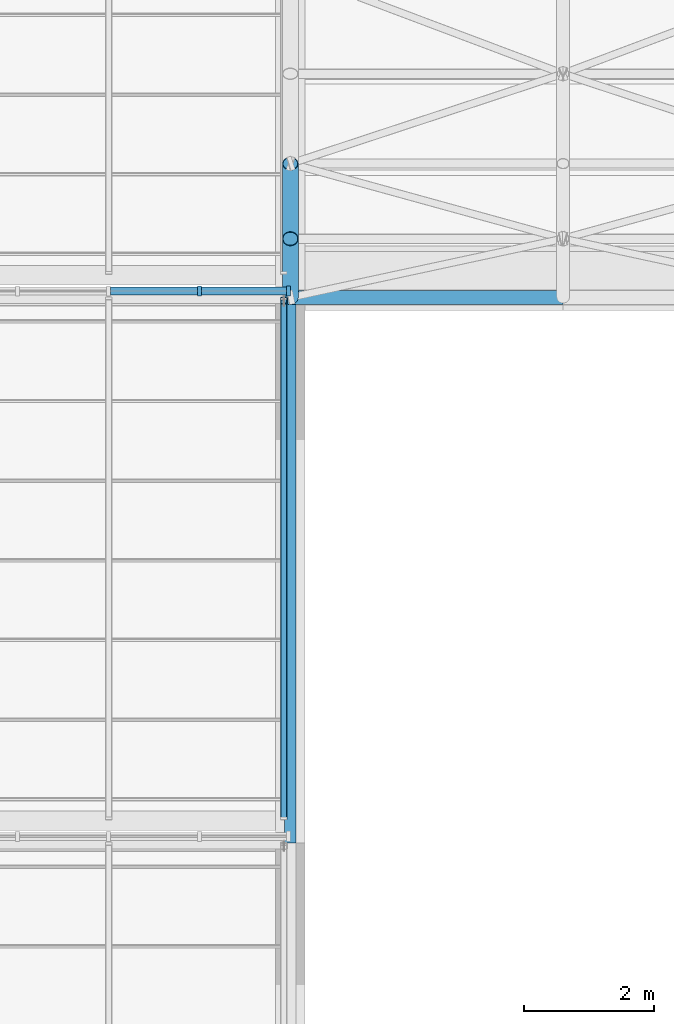
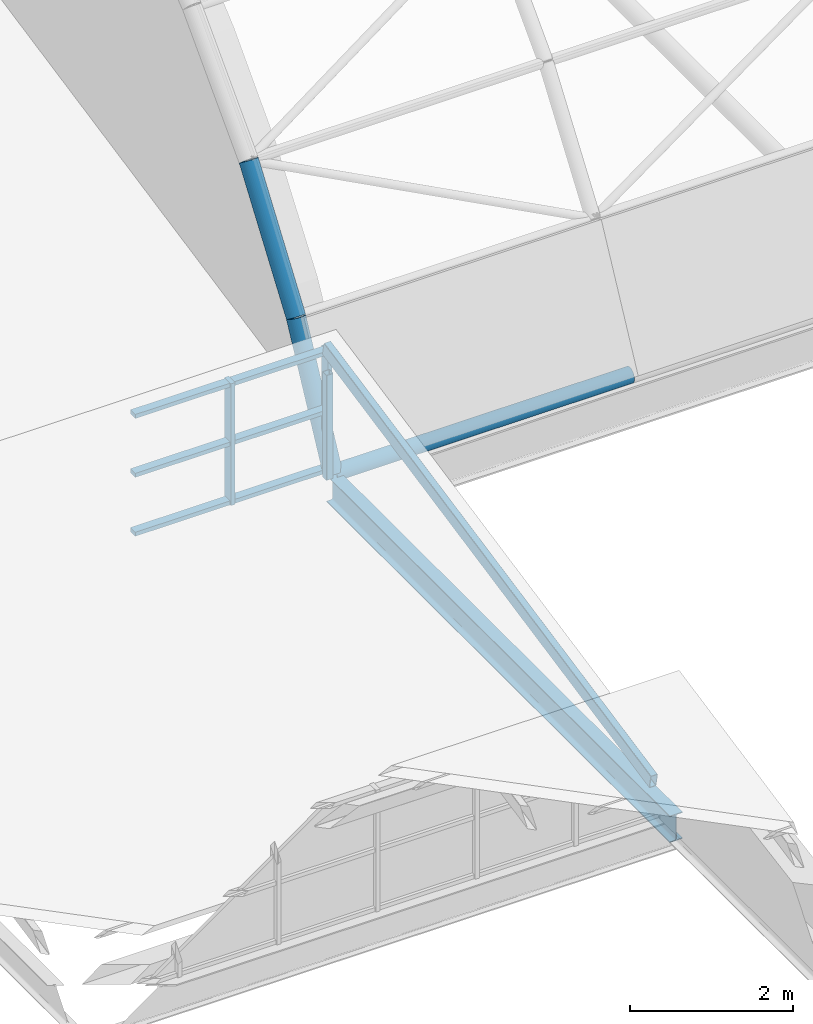
# One storey, part 26 of 121: 13 members, 1 beam, 1 element without a shape of its own.
"""IFC4 building model written with IfcOpenShell, lengths in metres."""

import ifcopenshell
import ifcopenshell.guid

model = None  # the IFC model being written
_history = None  # IfcOwnerHistory: only IFC2X3 demands one
_inside = {}  # id of a spatial element -> (the spatial element, [elements in it])
_under = {}  # id of a project, library or spatial element -> (it, [spatial elements below it])
_declared = {}  # id of a project -> (the project, [libraries it declares])
_typed = {}  # id of a type object -> (the type object, [elements of that type])
_made_of = {}  # id of a material, layer set ... -> (it, [elements and type objects made of it])


def new_model(schema):
    """Start an empty IFC model of exactly this schema.

    Asked for "IFC4X3", IfcOpenShell would pick the latest addendum, in which some entities
    have other attributes; the version numbers below select the first issue.
    IFC2X3 requires an IfcOwnerHistory on every rooted entity: one is made here for all.
    """
    global model, _history
    if schema == "IFC4X3":
        model = ifcopenshell.file(schema_version=(4, 3, 0, 0))
    else:
        model = ifcopenshell.file(schema=schema)
    _inside.clear()
    _under.clear()
    _declared.clear()
    _typed.clear()
    _made_of.clear()
    _history = None
    if model.schema == "IFC2X3":
        org = make("IfcOrganization", Name="unknown")
        user = make(
            "IfcPersonAndOrganization",
            ThePerson=make("IfcPerson", FamilyName="unknown"),
            TheOrganization=org,
        )
        app = make(
            "IfcApplication",
            ApplicationDeveloper=org,
            Version="unknown",
            ApplicationFullName="unknown",
            ApplicationIdentifier="unknown",
        )
        _history = make(
            "IfcOwnerHistory",
            OwningUser=user,
            OwningApplication=app,
            ChangeAction="ADDED",
            CreationDate=0,
        )
    return model


def make(cls, **values):
    """One entity of the class cls with the attributes given. An attribute that is None is left unset."""
    return model.create_entity(
        cls, **{name: value for name, value in values.items() if value is not None}
    )


def rooted(cls, **values):
    """An entity with a GlobalId (a new one), such as an element, a storey or a relation."""
    return make(cls, GlobalId=ifcopenshell.guid.new(), OwnerHistory=_history, **values)


def si_unit(unit_type, name, prefix=None):
    """IfcSIUnit, for example si_unit("LENGTHUNIT", "METRE", prefix="MILLI")."""
    return make("IfcSIUnit", UnitType=unit_type, Prefix=prefix, Name=name)


def assignment(units):
    """IfcUnitAssignment: the units of a project."""
    return None if units is None else make("IfcUnitAssignment", Units=units)


def point(xyz):
    """IfcCartesianPoint."""
    return None if xyz is None else make("IfcCartesianPoint", Coordinates=xyz)


def direction(xyz):
    """IfcDirection."""
    return None if xyz is None else make("IfcDirection", DirectionRatios=xyz)


def frame(location, z_axis=None, x_axis=None):
    """IfcAxis2Placement3D, a coordinate frame: its origin and axes. An axis left out is left unset."""
    return make(
        "IfcAxis2Placement3D",
        Location=point(location),
        Axis=direction(z_axis),
        RefDirection=direction(x_axis),
    )


def frame_2d(location, x_axis=None):
    """IfcAxis2Placement2D, a coordinate frame in the plane: its origin and x axis."""
    return make(
        "IfcAxis2Placement2D", Location=point(location), RefDirection=direction(x_axis)
    )


def origin():
    """The frame at (0, 0, 0) with its axes left unset."""
    return frame((0.0, 0.0, 0.0))


def origin_2d():
    """The frame at (0, 0) in the plane with its x axis left unset."""
    return frame_2d((0.0, 0.0))


def place(relative_to, where):
    """IfcLocalPlacement: puts the frame where relative to a parent placement (None: the world)."""
    return make(
        "IfcLocalPlacement", PlacementRelTo=relative_to, RelativePlacement=where
    )


def context(
    kind, dimensions, precision=None, world=None, true_north=None, identifier=None
):
    """IfcGeometricRepresentationContext, for example the 3D "Model" context."""
    return make(
        "IfcGeometricRepresentationContext",
        ContextIdentifier=identifier,
        ContextType=kind,
        CoordinateSpaceDimension=dimensions,
        Precision=precision,
        WorldCoordinateSystem=world,
        TrueNorth=true_north,
    )


def subcontext(parent, identifier, kind, view, scale=None):
    """IfcGeometricRepresentationSubContext, for example "Body" below "Model"."""
    return make(
        "IfcGeometricRepresentationSubContext",
        ContextIdentifier=identifier,
        ContextType=kind,
        ParentContext=parent,
        TargetScale=scale,
        TargetView=view,
    )


def project(units=None, contexts=None):
    """IfcProject with its units and contexts."""
    return rooted(
        "IfcProject",
        Name="project",
        RepresentationContexts=contexts,
        UnitsInContext=assignment(units),
    )


def spatial(cls, under=None, at=None, **own):
    """A site, building, storey or space (cls), placed at a placement, below another one or the project."""
    s = rooted(cls, ObjectPlacement=at, **own)
    if under is not None:
        _under.setdefault(under.id(), (under, []))[1].append(s)
    return s


def profile(cls, at=None, kind="AREA", **sizes):
    """A parametric profile (cls). Its sizes go by their IFC names, for example OverallWidth=200.0."""
    return make(cls, ProfileType=kind, Position=at, **sizes)


def rectangle(**sizes):
    """IfcRectangleProfileDef."""
    return profile("IfcRectangleProfileDef", **sizes)


def hollow_rectangle(**sizes):
    """IfcRectangleHollowProfileDef."""
    return profile("IfcRectangleHollowProfileDef", **sizes)


def hollow_circle(**sizes):
    """IfcCircleHollowProfileDef."""
    return profile("IfcCircleHollowProfileDef", **sizes)


def i_section(**sizes):
    """IfcIShapeProfileDef."""
    return profile("IfcIShapeProfileDef", **sizes)


def extrude(swept, where, along, depth):
    """IfcExtrudedAreaSolid: the profile swept, set in the frame where, extruded along a direction by depth."""
    return make(
        "IfcExtrudedAreaSolid",
        SweptArea=swept,
        Position=where,
        ExtrudedDirection=direction(along),
        Depth=depth,
    )


def shape(context_of_items, identifier, shape_type, items):
    """IfcShapeRepresentation: the items that make up one representation, for example the "Body"."""
    return make(
        "IfcShapeRepresentation",
        ContextOfItems=context_of_items,
        RepresentationIdentifier=identifier,
        RepresentationType=shape_type,
        Items=items,
    )


def material(Name=None, Category=None):
    """IfcMaterial."""
    return make("IfcMaterial", Name=Name, Category=Category)


def layer(
    of_material, thickness, ventilated=None, Name=None, Category=None, Priority=None
):
    """IfcMaterialLayer: one layer of a wall or slab, of a material (None: an air gap)."""
    return make(
        "IfcMaterialLayer",
        Material=of_material,
        LayerThickness=thickness,
        IsVentilated=ventilated,
        Name=Name,
        Category=Category,
        Priority=Priority,
    )


def layer_set(layers, Name=None):
    """IfcMaterialLayerSet."""
    return make("IfcMaterialLayerSet", MaterialLayers=layers, LayerSetName=Name)


def material_profile(
    of_material, cross_section, Name=None, Category=None, Priority=None
):
    """IfcMaterialProfile: a cross section and its material."""
    return make(
        "IfcMaterialProfile",
        Name=Name,
        Material=of_material,
        Profile=cross_section,
        Priority=Priority,
        Category=Category,
    )


def profile_set(profiles, Name=None, composite=None):
    """IfcMaterialProfileSet."""
    return make(
        "IfcMaterialProfileSet",
        Name=Name,
        MaterialProfiles=profiles,
        CompositeProfile=composite,
    )


def made_of(thing, what):
    """Note that an element or type object is made of a material, layer set ...; save() writes the relation."""
    if what is not None:
        _made_of.setdefault(what.id(), (what, []))[1].append(thing)
    return thing


def type_object(cls, material=None, **own):
    """A type object (cls), such as IfcWallType, which elements share."""
    return made_of(rooted(cls, **own), material)


def element(
    cls,
    number,
    at=None,
    inside=None,
    cuts=None,
    type_object=None,
    material=None,
    context=None,
    identifier="Body",
    shape_type=None,
    held_by="IfcProductDefinitionShape",
    body=None,
    shapes=None,
    **own,
):
    """One element of the class cls, such as IfcWall. Its Tag is "e" and its number.

    at: its placement. inside: the storey or other place that contains it. cuts: it is an
    opening in that element (IfcRelVoidsElement). A single representation is given by context,
    identifier, shape_type and body (its items); several are given by shapes. held_by: the class
    of the entity that holds the representations. save() writes the other relations.
    """
    e = rooted(cls, Tag="e%d" % number, ObjectPlacement=at, **own)
    if body is not None:
        shapes = [shape(context, identifier, shape_type, body)]
    if shapes is not None:
        e.Representation = make(held_by, Representations=shapes)
    if inside is not None:
        _inside.setdefault(inside.id(), (inside, []))[1].append(e)
    if cuts is not None:
        rooted(
            "IfcRelVoidsElement", RelatingBuildingElement=cuts, RelatedOpeningElement=e
        )
    if type_object is not None:
        _typed.setdefault(type_object.id(), (type_object, []))[1].append(e)
    return made_of(e, material)


def aggregate(whole, parts):
    """IfcRelAggregates: a whole, such as a stair, and the parts it consists of."""
    return rooted("IfcRelAggregates", RelatingObject=whole, RelatedObjects=parts)


def save(model, path):
    """Write the relations noted so far, then the file.

    IfcRelAggregates (storeys below a building ...), IfcRelContainedInSpatialStructure (elements
    in a storey), IfcRelDefinesByType, IfcRelAssociatesMaterial and IfcRelDeclares: one each for
    every whole, place, type object, material and project.
    """
    for whole, parts in _under.values():
        aggregate(whole, parts)
    for where, things in _inside.values():
        rooted(
            "IfcRelContainedInSpatialStructure",
            RelatedElements=things,
            RelatingStructure=where,
        )
    for kind, things in _typed.values():
        rooted("IfcRelDefinesByType", RelatedObjects=things, RelatingType=kind)
    for what, things in _made_of.values():
        rooted("IfcRelAssociatesMaterial", RelatedObjects=things, RelatingMaterial=what)
    for by, libraries in _declared.values():
        rooted("IfcRelDeclares", RelatingContext=by, RelatedDefinitions=libraries)
    model.write(path)


model = new_model("IFC4")

# Units and contexts
model_context = context("Model", 3, precision=1e-05, world=origin(), true_north=direction((0.0, 1.0)))
body_context = subcontext(model_context, "Body", "Model", "MODEL_VIEW")
ifc_project = project(units=[si_unit("LENGTHUNIT", "METRE"), si_unit("AREAUNIT", "SQUARE_METRE"), si_unit("VOLUMEUNIT", "CUBIC_METRE"), si_unit("PLANEANGLEUNIT", "RADIAN"), si_unit("MASSUNIT", "GRAM", prefix="KILO")], contexts=[model_context])

# Site, building, storey
site_placement = place(None, origin())
site = spatial("IfcSite", under=ifc_project, at=site_placement, CompositionType="ELEMENT")
building_placement = place(site_placement, origin())
building = spatial("IfcBuilding", under=site, at=building_placement, Name="Ardhachandra Cancer Care Centre", CompositionType="ELEMENT")
storey_placement = place(building_placement, frame((0.0, 0.0, 9.0)))
storey = spatial("IfcBuildingStorey", under=building, at=storey_placement, Name="L02", CompositionType="ELEMENT", Elevation=9.0)

# Beam
ifc_material_1 = material(Name="Steel E350 (IS 2062)", Category="steel")
ifc_material_profile_1 = material_profile(ifc_material_1, i_section(OverallWidth=0.179931640625, OverallDepth=0.39990234375, WebThickness=0.008544921875, FlangeThickness=0.013427734375, FilletRadius=0.02099609375, at=origin_2d()), Name="NPB 400x180x66.30")
ifc_profile_set_1 = profile_set([ifc_material_profile_1], Name="Steel E350 (IS 2062)")
beam_type = type_object("IfcBeamType", Name="Beam NPB 400x180x66.30", PredefinedType="BEAM", material=ifc_profile_set_1)
beam_placement = place(storey_placement, frame((44.39990234375, 46.199951171875, -0.199951171875), z_axis=(0.0, 1.0, 0.0), x_axis=(-1.0, 0.0, 0.0)))
element("IfcBeam", 1, at=beam_placement, inside=storey, type_object=beam_type, Name="Roof girder E5-F5", PredefinedType="BEAM", context=body_context, shape_type="SweptSolid", body=[
    extrude(i_section(OverallWidth=0.179931640625, OverallDepth=0.39990234375, WebThickness=0.008544921875, FlangeThickness=0.013427734375, FilletRadius=0.02099609375, at=origin_2d()), origin(), (0.0, 0.0, 1.0), 8.400146484375),
])

# Curtain wall, members
ifc_material_2 = material(Name="Aluminium extrusion", Category="aluminium")
ifc_layer = layer(ifc_material_2, 0.14990234375)
ifc_layer_set = layer_set([ifc_layer], Name="Aluminium extrusion")
curtain_wall_type = type_object("IfcCurtainWallType", Name="Curtain wall run", PredefinedType="NOTDEFINED", material=ifc_layer_set)
curtain_wall_placement = place(storey_placement, origin())
curtain_wall = element("IfcCurtainWall", 2, at=curtain_wall_placement, inside=storey, type_object=curtain_wall_type, Name="Curtain wall L02 n/0010800_0054700", PredefinedType="NOTDEFINED")
ifc_material_3 = material(Name="Aluminium extrusion", Category="aluminium")
ifc_material_profile_2 = material_profile(ifc_material_3, rectangle(XDim=0.159912109375, YDim=0.06005859375, at=origin_2d()), Name="Curtain wall mullion 60 x 160")
ifc_profile_set_2 = profile_set([ifc_material_profile_2], Name="Aluminium extrusion")
member_type_1 = type_object("IfcMemberType", Name="Curtain wall mullion 60 x 160", PredefinedType="MULLION", material=ifc_profile_set_2)
member_1_placement = place(storey_placement, frame((43.0, 54.699951171875, 0.0), z_axis=(0.0, 0.0, 1.0), x_axis=(0.0, 1.0, 0.0)))
member_1 = element("IfcMember", 3, at=member_1_placement, type_object=member_type_1, Name="CW mullion 24", PredefinedType="MULLION", context=body_context, shape_type="SweptSolid", body=[
    extrude(rectangle(XDim=0.159912109375, YDim=0.06005859375, at=origin_2d()), origin(), (0.0, 0.0, 1.0), 1.820068359375),
])
member_2_placement = place(storey_placement, frame((44.3701171875, 54.699951171875, 0.0), z_axis=(0.0, 0.0, 1.0), x_axis=(0.0, 1.0, 0.0)))
member_2 = element("IfcMember", 4, at=member_2_placement, type_object=member_type_1, Name="CW mullion 25", PredefinedType="MULLION", context=body_context, shape_type="SweptSolid", body=[
    extrude(rectangle(XDim=0.159912109375, YDim=0.06005859375, at=origin_2d()), origin(), (0.0, 0.0, 1.0), 1.820068359375),
])
ifc_material_4 = material(Name="Aluminium extrusion", Category="aluminium")
ifc_material_profile_3 = material_profile(ifc_material_4, rectangle(XDim=0.1201171875, YDim=0.06005859375, at=origin_2d()), Name="Curtain wall transom 60 x 120")
ifc_profile_set_3 = profile_set([ifc_material_profile_3], Name="Aluminium extrusion")
member_type_2 = type_object("IfcMemberType", Name="Curtain wall transom 60 x 120", PredefinedType="USERDEFINED", material=ifc_profile_set_3)
member_3_placement = place(storey_placement, frame((41.6298828125, 54.699951171875, 0.030029296875), z_axis=(1.0, 0.0, 0.0), x_axis=(0.0, 1.0, 0.0)))
member_3 = element("IfcMember", 5, at=member_3_placement, type_object=member_type_2, Name="CW transom 23.1", ObjectType="TRANSOM", PredefinedType="USERDEFINED", context=body_context, shape_type="SweptSolid", body=[
    extrude(rectangle(XDim=0.1201171875, YDim=0.06005859375, at=origin_2d()), origin(), (0.0, 0.0, 1.0), 1.340087890625),
])
member_4_placement = place(storey_placement, frame((41.6298828125, 54.699951171875, 0.909912109375), z_axis=(1.0, 0.0, 0.0), x_axis=(0.0, 1.0, 0.0)))
member_4 = element("IfcMember", 6, at=member_4_placement, type_object=member_type_2, Name="CW transom 23.2", ObjectType="TRANSOM", PredefinedType="USERDEFINED", context=body_context, shape_type="SweptSolid", body=[
    extrude(rectangle(XDim=0.1201171875, YDim=0.06005859375, at=origin_2d()), origin(), (0.0, 0.0, 1.0), 1.340087890625),
])
member_5_placement = place(storey_placement, frame((41.6298828125, 54.699951171875, 1.7900390625), z_axis=(1.0, 0.0, 0.0), x_axis=(0.0, 1.0, 0.0)))
member_5 = element("IfcMember", 7, at=member_5_placement, type_object=member_type_2, Name="CW transom 23.3", ObjectType="TRANSOM", PredefinedType="USERDEFINED", context=body_context, shape_type="SweptSolid", body=[
    extrude(rectangle(XDim=0.1201171875, YDim=0.06005859375, at=origin_2d()), origin(), (0.0, 0.0, 1.0), 1.340087890625),
])
member_6_placement = place(storey_placement, frame((43.030029296875, 54.699951171875, 0.030029296875), z_axis=(1.0, 0.0, 0.0), x_axis=(0.0, 1.0, 0.0)))
member_6 = element("IfcMember", 8, at=member_6_placement, type_object=member_type_2, Name="CW transom 24.1", ObjectType="TRANSOM", PredefinedType="USERDEFINED", context=body_context, shape_type="SweptSolid", body=[
    extrude(rectangle(XDim=0.1201171875, YDim=0.06005859375, at=origin_2d()), origin(), (0.0, 0.0, 1.0), 1.31005859375),
])
member_7_placement = place(storey_placement, frame((43.030029296875, 54.699951171875, 0.909912109375), z_axis=(1.0, 0.0, 0.0), x_axis=(0.0, 1.0, 0.0)))
member_7 = element("IfcMember", 9, at=member_7_placement, type_object=member_type_2, Name="CW transom 24.2", ObjectType="TRANSOM", PredefinedType="USERDEFINED", context=body_context, shape_type="SweptSolid", body=[
    extrude(rectangle(XDim=0.1201171875, YDim=0.06005859375, at=origin_2d()), origin(), (0.0, 0.0, 1.0), 1.31005859375),
])
member_8_placement = place(storey_placement, frame((43.030029296875, 54.699951171875, 1.7900390625), z_axis=(1.0, 0.0, 0.0), x_axis=(0.0, 1.0, 0.0)))
member_8 = element("IfcMember", 10, at=member_8_placement, type_object=member_type_2, Name="CW transom 24.3", ObjectType="TRANSOM", PredefinedType="USERDEFINED", context=body_context, shape_type="SweptSolid", body=[
    extrude(rectangle(XDim=0.1201171875, YDim=0.06005859375, at=origin_2d()), origin(), (0.0, 0.0, 1.0), 1.31005859375),
])
aggregate(curtain_wall, [member_1, member_2, member_3, member_4, member_5, member_6, member_7, member_8])

# Members
ifc_material_5 = material(Name="Steel E350 (IS 2062)", Category="steel")
ifc_material_profile_4 = material_profile(ifc_material_5, hollow_circle(Radius=0.109619140625, WallThickness=0.008056640625, at=origin_2d()), Name="CHS 219.1x8.0")
ifc_profile_set_4 = profile_set([ifc_material_profile_4], Name="Steel E350 (IS 2062)")
member_type_3 = type_object("IfcMemberType", Name="Hall shell Purlin CHS 219.1x8.0", PredefinedType="PURLIN", material=ifc_profile_set_4)
member_9_placement = place(storey_placement, frame((44.39990234375, 54.60009765625, 0.0), z_axis=(1.0, 0.0, 0.0), x_axis=(0.0, 1.0, 0.0)))
element("IfcMember", 11, at=member_9_placement, inside=storey, type_object=member_type_3, Name="Hall shell purlin 00-00", PredefinedType="PURLIN", context=body_context, shape_type="SweptSolid", body=[
    extrude(hollow_circle(Radius=0.109619140625, WallThickness=0.008056640625, at=origin_2d()), origin(), (0.0, 0.0, 1.0), 4.2001953125),
])
ifc_material_6 = material(Name="Steel E350 (IS 2062)", Category="steel")
ifc_material_profile_5 = material_profile(ifc_material_6, hollow_circle(Radius=0.122314453125, WallThickness=0.010009765625, at=origin_2d()), Name="CHS 244.5x10.0")
ifc_profile_set_5 = profile_set([ifc_material_profile_5], Name="Steel E350 (IS 2062)")
member_type_4 = type_object("IfcMemberType", Name="Hall shell Rib CHS 244.5x10.0", PredefinedType="RAFTER", material=ifc_profile_set_5)
member_10_placement = place(storey_placement, frame((44.39990234375, 54.60009765625, 0.0), z_axis=(0.0, 0.451349625156, 0.89234719469), x_axis=(-1.0, 0.0, 0.0)))
element("IfcMember", 12, at=member_10_placement, inside=storey, type_object=member_type_4, Name="Hall shell rib 00-00", PredefinedType="RAFTER", context=body_context, shape_type="SweptSolid", body=[
    extrude(hollow_circle(Radius=0.122314453125, WallThickness=0.010009765625, at=origin_2d()), origin(), (0.0, 0.0, 1.0), 2.004638671875),
])
member_11_placement = place(storey_placement, frame((44.39990234375, 55.5048828125, 1.788818359375), z_axis=(0.0, 0.577199418325, 0.816603227697), x_axis=(-1.0, 0.0, 0.0)))
element("IfcMember", 13, at=member_11_placement, inside=storey, type_object=member_type_4, Name="Hall shell rib 00-01", PredefinedType="RAFTER", context=body_context, shape_type="SweptSolid", body=[
    extrude(hollow_circle(Radius=0.122314453125, WallThickness=0.010009765625, at=origin_2d()), origin(), (0.0, 0.0, 1.0), 2.0048828125),
])
ifc_material_7 = material(Name="Steel E350 (IS 2062)", Category="steel")
ifc_material_profile_6 = material_profile(ifc_material_7, hollow_rectangle(XDim=0.10009765625, YDim=0.199951171875, WallThickness=0.006103515625, InnerFilletRadius=0.006103515625, OuterFilletRadius=0.011962890625, at=origin_2d()), Name="RHS 200x100x6.0")
ifc_profile_set_6 = profile_set([ifc_material_profile_6], Name="Steel E350 (IS 2062)")
member_type_5 = type_object("IfcMemberType", Name="Roof rafter RHS 200x100x6.0", PredefinedType="RAFTER", material=ifc_profile_set_6)
member_12_placement = place(storey_placement, frame((44.300048828125, 46.580078125, 0.298095703125), z_axis=(0.0, 0.980109665583, 0.198456653782), x_axis=(-1.0, 0.0, 0.0)))
element("IfcMember", 14, at=member_12_placement, inside=storey, type_object=member_type_5, Name="Rafter T3a.13", PredefinedType="RAFTER", context=body_context, shape_type="SweptSolid", body=[
    extrude(hollow_rectangle(XDim=0.10009765625, YDim=0.199951171875, WallThickness=0.006103515625, InnerFilletRadius=0.006103515625, OuterFilletRadius=0.011962890625, at=origin_2d()), origin(), (0.0, 0.0, 1.0), 8.162353515625),
])
ifc_material_8 = material(Name="Steel E350 (IS 2062)", Category="steel")
ifc_material_profile_7 = material_profile(ifc_material_8, hollow_rectangle(XDim=0.10009765625, YDim=0.10009765625, WallThickness=0.0048828125, InnerFilletRadius=0.0048828125, OuterFilletRadius=0.010009765625, at=origin_2d()), Name="SHS 100x100x5.0")
ifc_profile_set_7 = profile_set([ifc_material_profile_7], Name="Steel E350 (IS 2062)")
member_type_6 = type_object("IfcMemberType", Name="Sawtooth ridge post SHS 100x100x5.0", PredefinedType="POST", material=ifc_profile_set_7)
member_13_placement = place(storey_placement, frame((44.300048828125, 54.550048828125, 0.0), z_axis=(0.0, 0.0, 1.0), x_axis=(1.0, 0.0, 0.0)))
element("IfcMember", 15, at=member_13_placement, inside=storey, type_object=member_type_6, Name="Ridge post T3a.5", PredefinedType="POST", context=body_context, shape_type="SweptSolid", body=[
    extrude(hollow_rectangle(XDim=0.10009765625, YDim=0.10009765625, WallThickness=0.0048828125, InnerFilletRadius=0.0048828125, OuterFilletRadius=0.010009765625, at=origin_2d()), origin(), (0.0, 0.0, 1.0), 1.5673828125),
])

save(model, "model.ifc")
